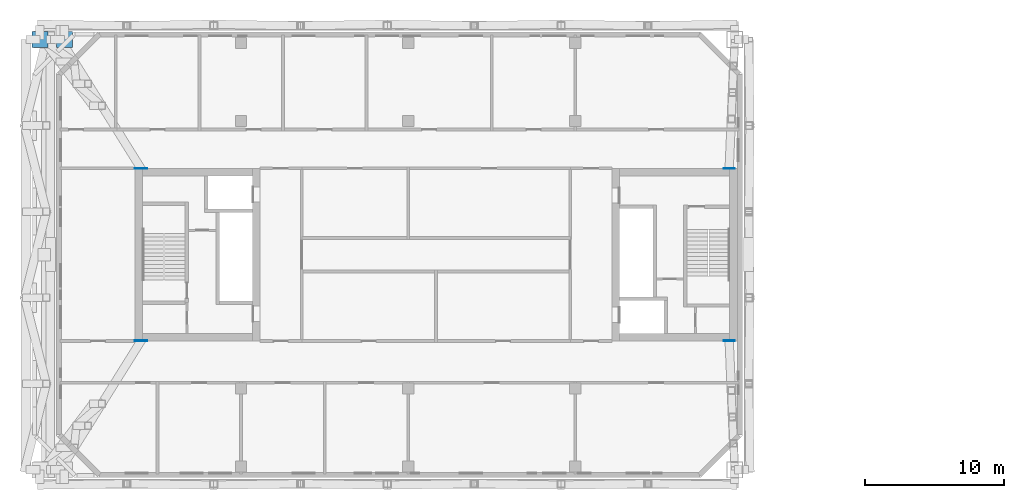
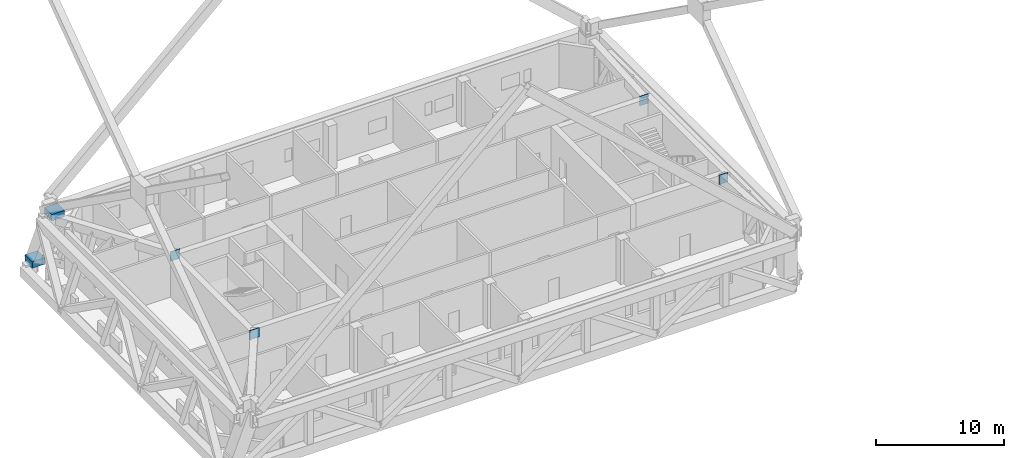
# One storey, part 20 of 22: 6 discrete accessories.
"""IFC4 building model written with IfcOpenShell, lengths in metres."""

from ifc_helpers import new_model, si_unit, direction, frame, origin, origin_2d, place, context, subcontext, project, spatial, rectangle, extrude, element, save


model = new_model("IFC4")

# Units and contexts
model_context = context("Model", 3, precision=1e-05, world=origin(), true_north=direction((0.0, 1.0)))
body_context = subcontext(model_context, "Body", "Model", "MODEL_VIEW")
ifc_project = project(units=[si_unit("LENGTHUNIT", "METRE"), si_unit("AREAUNIT", "SQUARE_METRE"), si_unit("VOLUMEUNIT", "CUBIC_METRE"), si_unit("PLANEANGLEUNIT", "RADIAN"), si_unit("MASSUNIT", "GRAM", prefix="KILO")], contexts=[model_context])

# Site, building, storey
site_placement = place(None, origin())
site = spatial("IfcSite", under=ifc_project, at=site_placement, CompositionType="ELEMENT")
building_placement = place(site_placement, origin())
building = spatial("IfcBuilding", under=site, at=building_placement, Name="Tuart Gate Housing", CompositionType="ELEMENT")
storey_placement = place(building_placement, frame((0.0, 0.0, 115.0)))
storey = spatial("IfcBuildingStorey", under=building, at=storey_placement, Name="L32", CompositionType="ELEMENT", Elevation=115.0)

# Discrete accessories
for number, where, z_axis, x_axis, name in (
    (1, (25.550048828125, 85.449951171875, 0.0), (0.0, 0.0, 1.0), (1.0, 0.0, 0.0), "Mega column node A north-west foot L32"),
    (2, (27.300048828125, 85.449951171875, 3.89990234375), (0.0, 0.0, 1.0), (1.0, 0.0, 0.0), "Mega column node A north-west head L32"),
):
    element("IfcDiscreteAccessory", number, at=place(storey_placement, frame(where, z_axis=z_axis, x_axis=x_axis)), inside=storey, Name=name, ObjectType="Mega column node", PredefinedType="USERDEFINED", context=body_context, shape_type="SweptSolid", body=[
        extrude(rectangle(XDim=1.152099609375, YDim=1.152099609375, at=origin_2d()), origin(), (0.0, 0.0, 1.0), 0.60009765625),
    ])
for number, where, z_axis, x_axis, name in (
    (3, (32.803955078125, 63.820068359375, 3.35009765625), (0.0, 0.0, 1.0), (1.0, 0.0, 0.0), "Outrigger embed plate AK south L32"),
    (4, (32.803955078125, 76.179931640625, 3.35009765625), (0.0, 0.0, 1.0), (1.0, 0.0, 0.0), "Outrigger embed plate AK north L32"),
):
    element("IfcDiscreteAccessory", number, at=place(storey_placement, frame(where, z_axis=z_axis, x_axis=x_axis)), inside=storey, Name=name, PredefinedType="ANCHORPLATE", context=body_context, shape_type="SweptSolid", body=[
        extrude(rectangle(XDim=0.907470703125, YDim=0.0400390625, at=origin_2d()), origin(), (0.0, 0.0, 1.0), 0.89990234375),
    ])
for number, where, z_axis, x_axis, name in (
    (5, (75.05078125, 63.820068359375, 3.35009765625), (0.0, 0.0, 1.0), (1.0, 0.0, 0.0), "Outrigger embed plate AG south L32"),
    (6, (75.05078125, 76.179931640625, 3.35009765625), (0.0, 0.0, 1.0), (1.0, 0.0, 0.0), "Outrigger embed plate AG north L32"),
):
    element("IfcDiscreteAccessory", number, at=place(storey_placement, frame(where, z_axis=z_axis, x_axis=x_axis)), inside=storey, Name=name, PredefinedType="ANCHORPLATE", context=body_context, shape_type="SweptSolid", body=[
        extrude(rectangle(XDim=0.800537109375, YDim=0.0400390625, at=origin_2d()), origin(), (0.0, 0.0, 1.0), 0.89990234375),
    ])

save(model, "model.ifc")
